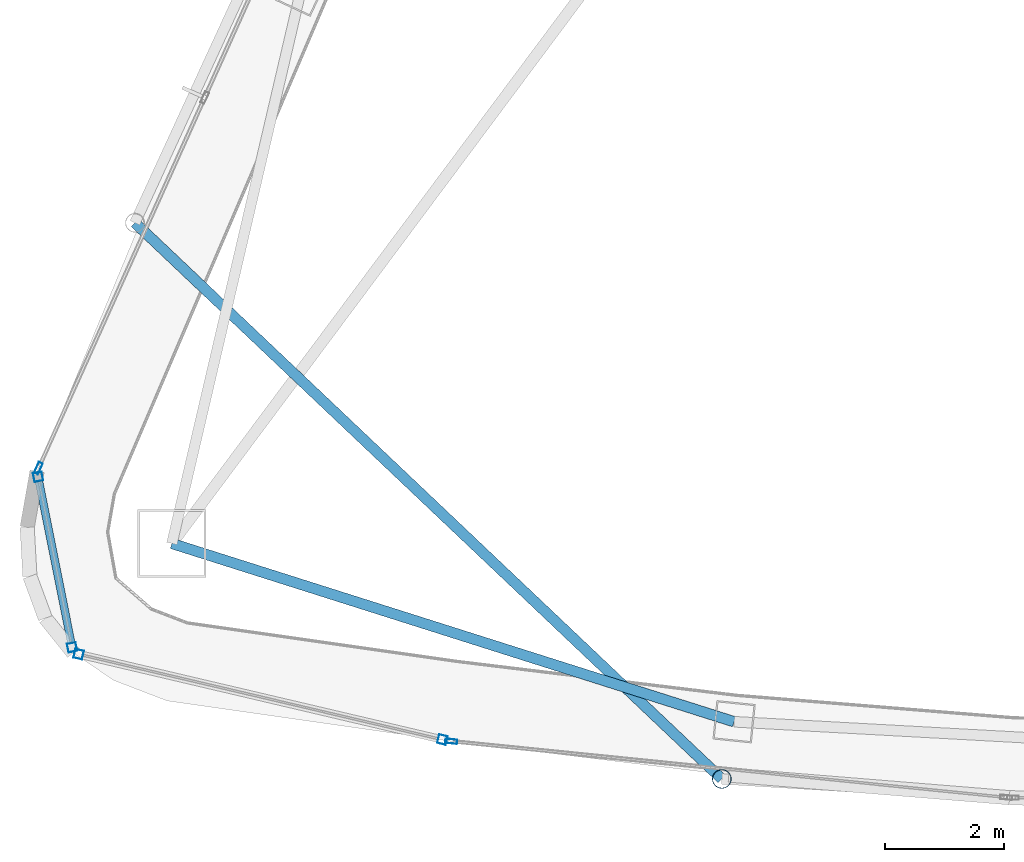
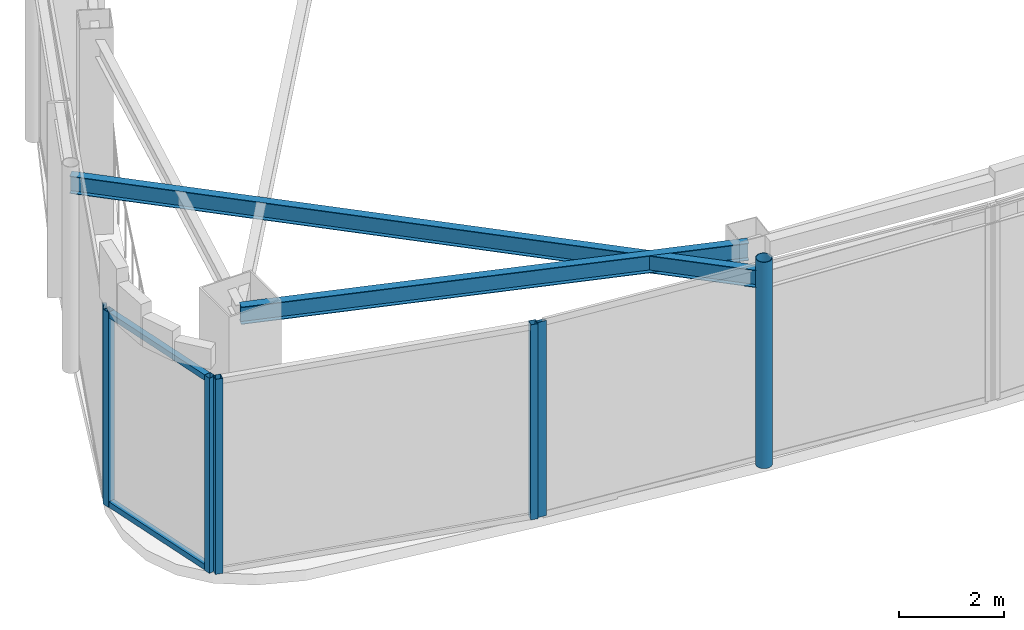
# One storey, part 2 of 18: 9 members, 2 beams, 4 elements without a shape of their own.
"""IFC4 building model written with IfcOpenShell, lengths in metres."""

import ifcopenshell
import ifcopenshell.guid

model = None  # the IFC model being written
_history = None  # IfcOwnerHistory: only IFC2X3 demands one
_inside = {}  # id of a spatial element -> (the spatial element, [elements in it])
_under = {}  # id of a project, library or spatial element -> (it, [spatial elements below it])
_declared = {}  # id of a project -> (the project, [libraries it declares])
_typed = {}  # id of a type object -> (the type object, [elements of that type])
_made_of = {}  # id of a material, layer set ... -> (it, [elements and type objects made of it])


def new_model(schema):
    """Start an empty IFC model of exactly this schema.

    Asked for "IFC4X3", IfcOpenShell would pick the latest addendum, in which some entities
    have other attributes; the version numbers below select the first issue.
    IFC2X3 requires an IfcOwnerHistory on every rooted entity: one is made here for all.
    """
    global model, _history
    if schema == "IFC4X3":
        model = ifcopenshell.file(schema_version=(4, 3, 0, 0))
    else:
        model = ifcopenshell.file(schema=schema)
    _inside.clear()
    _under.clear()
    _declared.clear()
    _typed.clear()
    _made_of.clear()
    _history = None
    if model.schema == "IFC2X3":
        org = make("IfcOrganization", Name="unknown")
        user = make(
            "IfcPersonAndOrganization",
            ThePerson=make("IfcPerson", FamilyName="unknown"),
            TheOrganization=org,
        )
        app = make(
            "IfcApplication",
            ApplicationDeveloper=org,
            Version="unknown",
            ApplicationFullName="unknown",
            ApplicationIdentifier="unknown",
        )
        _history = make(
            "IfcOwnerHistory",
            OwningUser=user,
            OwningApplication=app,
            ChangeAction="ADDED",
            CreationDate=0,
        )
    return model


def make(cls, **values):
    """One entity of the class cls with the attributes given. An attribute that is None is left unset."""
    return model.create_entity(
        cls, **{name: value for name, value in values.items() if value is not None}
    )


def rooted(cls, **values):
    """An entity with a GlobalId (a new one), such as an element, a storey or a relation."""
    return make(cls, GlobalId=ifcopenshell.guid.new(), OwnerHistory=_history, **values)


def si_unit(unit_type, name, prefix=None):
    """IfcSIUnit, for example si_unit("LENGTHUNIT", "METRE", prefix="MILLI")."""
    return make("IfcSIUnit", UnitType=unit_type, Prefix=prefix, Name=name)


def assignment(units):
    """IfcUnitAssignment: the units of a project."""
    return None if units is None else make("IfcUnitAssignment", Units=units)


def point(xyz):
    """IfcCartesianPoint."""
    return None if xyz is None else make("IfcCartesianPoint", Coordinates=xyz)


def direction(xyz):
    """IfcDirection."""
    return None if xyz is None else make("IfcDirection", DirectionRatios=xyz)


def frame(location, z_axis=None, x_axis=None):
    """IfcAxis2Placement3D, a coordinate frame: its origin and axes. An axis left out is left unset."""
    return make(
        "IfcAxis2Placement3D",
        Location=point(location),
        Axis=direction(z_axis),
        RefDirection=direction(x_axis),
    )


def frame_2d(location, x_axis=None):
    """IfcAxis2Placement2D, a coordinate frame in the plane: its origin and x axis."""
    return make(
        "IfcAxis2Placement2D", Location=point(location), RefDirection=direction(x_axis)
    )


def origin():
    """The frame at (0, 0, 0) with its axes left unset."""
    return frame((0.0, 0.0, 0.0))


def origin_2d():
    """The frame at (0, 0) in the plane with its x axis left unset."""
    return frame_2d((0.0, 0.0))


def place(relative_to, where):
    """IfcLocalPlacement: puts the frame where relative to a parent placement (None: the world)."""
    return make(
        "IfcLocalPlacement", PlacementRelTo=relative_to, RelativePlacement=where
    )


def context(
    kind, dimensions, precision=None, world=None, true_north=None, identifier=None
):
    """IfcGeometricRepresentationContext, for example the 3D "Model" context."""
    return make(
        "IfcGeometricRepresentationContext",
        ContextIdentifier=identifier,
        ContextType=kind,
        CoordinateSpaceDimension=dimensions,
        Precision=precision,
        WorldCoordinateSystem=world,
        TrueNorth=true_north,
    )


def subcontext(parent, identifier, kind, view, scale=None):
    """IfcGeometricRepresentationSubContext, for example "Body" below "Model"."""
    return make(
        "IfcGeometricRepresentationSubContext",
        ContextIdentifier=identifier,
        ContextType=kind,
        ParentContext=parent,
        TargetScale=scale,
        TargetView=view,
    )


def project(units=None, contexts=None):
    """IfcProject with its units and contexts."""
    return rooted(
        "IfcProject",
        Name="project",
        RepresentationContexts=contexts,
        UnitsInContext=assignment(units),
    )


def spatial(cls, under=None, at=None, **own):
    """A site, building, storey or space (cls), placed at a placement, below another one or the project."""
    s = rooted(cls, ObjectPlacement=at, **own)
    if under is not None:
        _under.setdefault(under.id(), (under, []))[1].append(s)
    return s


def profile(cls, at=None, kind="AREA", **sizes):
    """A parametric profile (cls). Its sizes go by their IFC names, for example OverallWidth=200.0."""
    return make(cls, ProfileType=kind, Position=at, **sizes)


def hollow_rectangle(**sizes):
    """IfcRectangleHollowProfileDef."""
    return profile("IfcRectangleHollowProfileDef", **sizes)


def hollow_circle(**sizes):
    """IfcCircleHollowProfileDef."""
    return profile("IfcCircleHollowProfileDef", **sizes)


def i_section(**sizes):
    """IfcIShapeProfileDef."""
    return profile("IfcIShapeProfileDef", **sizes)


def extrude(swept, where, along, depth):
    """IfcExtrudedAreaSolid: the profile swept, set in the frame where, extruded along a direction by depth."""
    return make(
        "IfcExtrudedAreaSolid",
        SweptArea=swept,
        Position=where,
        ExtrudedDirection=direction(along),
        Depth=depth,
    )


def shape(context_of_items, identifier, shape_type, items):
    """IfcShapeRepresentation: the items that make up one representation, for example the "Body"."""
    return make(
        "IfcShapeRepresentation",
        ContextOfItems=context_of_items,
        RepresentationIdentifier=identifier,
        RepresentationType=shape_type,
        Items=items,
    )


def material(Name=None, Category=None):
    """IfcMaterial."""
    return make("IfcMaterial", Name=Name, Category=Category)


def layer(
    of_material, thickness, ventilated=None, Name=None, Category=None, Priority=None
):
    """IfcMaterialLayer: one layer of a wall or slab, of a material (None: an air gap)."""
    return make(
        "IfcMaterialLayer",
        Material=of_material,
        LayerThickness=thickness,
        IsVentilated=ventilated,
        Name=Name,
        Category=Category,
        Priority=Priority,
    )


def layer_set(layers, Name=None):
    """IfcMaterialLayerSet."""
    return make("IfcMaterialLayerSet", MaterialLayers=layers, LayerSetName=Name)


def material_profile(
    of_material, cross_section, Name=None, Category=None, Priority=None
):
    """IfcMaterialProfile: a cross section and its material."""
    return make(
        "IfcMaterialProfile",
        Name=Name,
        Material=of_material,
        Profile=cross_section,
        Priority=Priority,
        Category=Category,
    )


def profile_set(profiles, Name=None, composite=None):
    """IfcMaterialProfileSet."""
    return make(
        "IfcMaterialProfileSet",
        Name=Name,
        MaterialProfiles=profiles,
        CompositeProfile=composite,
    )


def made_of(thing, what):
    """Note that an element or type object is made of a material, layer set ...; save() writes the relation."""
    if what is not None:
        _made_of.setdefault(what.id(), (what, []))[1].append(thing)
    return thing


def type_object(cls, material=None, **own):
    """A type object (cls), such as IfcWallType, which elements share."""
    return made_of(rooted(cls, **own), material)


def element(
    cls,
    number,
    at=None,
    inside=None,
    cuts=None,
    type_object=None,
    material=None,
    context=None,
    identifier="Body",
    shape_type=None,
    held_by="IfcProductDefinitionShape",
    body=None,
    shapes=None,
    **own,
):
    """One element of the class cls, such as IfcWall. Its Tag is "e" and its number.

    at: its placement. inside: the storey or other place that contains it. cuts: it is an
    opening in that element (IfcRelVoidsElement). A single representation is given by context,
    identifier, shape_type and body (its items); several are given by shapes. held_by: the class
    of the entity that holds the representations. save() writes the other relations.
    """
    e = rooted(cls, Tag="e%d" % number, ObjectPlacement=at, **own)
    if body is not None:
        shapes = [shape(context, identifier, shape_type, body)]
    if shapes is not None:
        e.Representation = make(held_by, Representations=shapes)
    if inside is not None:
        _inside.setdefault(inside.id(), (inside, []))[1].append(e)
    if cuts is not None:
        rooted(
            "IfcRelVoidsElement", RelatingBuildingElement=cuts, RelatedOpeningElement=e
        )
    if type_object is not None:
        _typed.setdefault(type_object.id(), (type_object, []))[1].append(e)
    return made_of(e, material)


def aggregate(whole, parts):
    """IfcRelAggregates: a whole, such as a stair, and the parts it consists of."""
    return rooted("IfcRelAggregates", RelatingObject=whole, RelatedObjects=parts)


def save(model, path):
    """Write the relations noted so far, then the file.

    IfcRelAggregates (storeys below a building ...), IfcRelContainedInSpatialStructure (elements
    in a storey), IfcRelDefinesByType, IfcRelAssociatesMaterial and IfcRelDeclares: one each for
    every whole, place, type object, material and project.
    """
    for whole, parts in _under.values():
        aggregate(whole, parts)
    for where, things in _inside.values():
        rooted(
            "IfcRelContainedInSpatialStructure",
            RelatedElements=things,
            RelatingStructure=where,
        )
    for kind, things in _typed.values():
        rooted("IfcRelDefinesByType", RelatedObjects=things, RelatingType=kind)
    for what, things in _made_of.values():
        rooted("IfcRelAssociatesMaterial", RelatedObjects=things, RelatingMaterial=what)
    for by, libraries in _declared.values():
        rooted("IfcRelDeclares", RelatingContext=by, RelatedDefinitions=libraries)
    model.write(path)


model = new_model("IFC4")

# Units and contexts
model_context = context("Model", 3, precision=1e-05, world=origin(), true_north=direction((0.0, 1.0)))
body_context = subcontext(model_context, "Body", "Model", "MODEL_VIEW")
ifc_project = project(units=[si_unit("LENGTHUNIT", "METRE"), si_unit("AREAUNIT", "SQUARE_METRE"), si_unit("VOLUMEUNIT", "CUBIC_METRE"), si_unit("PLANEANGLEUNIT", "RADIAN"), si_unit("MASSUNIT", "GRAM", prefix="KILO")], contexts=[model_context])

# Site, building, storey
site_placement = place(None, origin())
site = spatial("IfcSite", under=ifc_project, at=site_placement, CompositionType="ELEMENT")
building_placement = place(site_placement, origin())
building = spatial("IfcBuilding", under=site, at=building_placement, Name="Orvanel Arch Residences", CompositionType="ELEMENT")
storey_placement = place(building_placement, frame((0.0, 0.0, 310.10009765625)))
storey = spatial("IfcBuildingStorey", under=building, at=storey_placement, Name="L86", CompositionType="ELEMENT", Elevation=310.10009765625)

# Curtain wall, members
ifc_material_1 = material(Name="Bronze-anodised aluminium AA6063-T6", Category="aluminium")
ifc_layer = layer(ifc_material_1, 0.2099609375)
ifc_layer_set = layer_set([ifc_layer], Name="Bronze-anodised aluminium AA6063-T6")
curtain_wall_type = type_object("IfcCurtainWallType", Name="CW7-TOP-SYS", PredefinedType="NOTDEFINED", material=ifc_layer_set)
curtain_wall_1_placement = place(storey_placement, origin())
curtain_wall_1 = element("IfcCurtainWall", 1, at=curtain_wall_1_placement, inside=storey, type_object=curtain_wall_type, Name="L86 CW7-TOP-SYS Unitised Curtain Wall", PredefinedType="NOTDEFINED")
ifc_material_profile_1 = material_profile(ifc_material_1, hollow_rectangle(XDim=0.14990234375, YDim=0.14990234375, WallThickness=0.0048828125, at=origin_2d()), Name="ALU150x150x5")
ifc_profile_set_1 = profile_set([ifc_material_profile_1], Name="Bronze-anodised aluminium AA6063-T6")
member_type_1 = type_object("IfcMemberType", Name="MUL-150x150", PredefinedType="MULLION", material=ifc_profile_set_1)
member_1_placement = place(storey_placement, frame((11.95068359375, 11.471435546875, 0.0), z_axis=(0.0, 0.0, 1.0), x_axis=(0.980680696495, 0.195615366274, 0.0)))
member_1 = element("IfcMember", 2, at=member_1_placement, type_object=member_type_1, Name="CW-S7 mullion 1", PredefinedType="MULLION", context=body_context, shape_type="SweptSolid", body=[
    extrude(hollow_rectangle(XDim=0.14990234375, YDim=0.14990234375, WallThickness=0.0048828125, at=origin_2d()), origin(), (0.0, 0.0, 1.0), 4.539794921875),
])
member_2_placement = place(storey_placement, frame((12.522216796875, 8.60546875, 0.0), z_axis=(0.0, 0.0, 1.0), x_axis=(0.980680696495, 0.195615366274, 0.0)))
member_2 = element("IfcMember", 3, at=member_2_placement, type_object=member_type_1, Name="CW-S7 mullion 2", PredefinedType="MULLION", context=body_context, shape_type="SweptSolid", body=[
    extrude(hollow_rectangle(XDim=0.14990234375, YDim=0.14990234375, WallThickness=0.0048828125, at=origin_2d()), origin(), (0.0, 0.0, 1.0), 4.539794921875),
])

curtain_wall_2_placement = place(storey_placement, origin())
curtain_wall_2 = element("IfcCurtainWall", 4, at=curtain_wall_2_placement, inside=storey, type_object=curtain_wall_type, Name="L86 CW7-TOP-SYS Unitised Curtain Wall", PredefinedType="NOTDEFINED")
member_3_placement = place(storey_placement, frame((12.633056640625, 8.48974609375, 0.0), z_axis=(0.0, 0.0, 1.0), x_axis=(0.22864052585, 0.973510919271, 0.0)))
member_3 = element("IfcMember", 5, at=member_3_placement, type_object=member_type_1, Name="CW-S7 mullion 1", PredefinedType="MULLION", context=body_context, shape_type="SweptSolid", body=[
    extrude(hollow_rectangle(XDim=0.14990234375, YDim=0.14990234375, WallThickness=0.0048828125, at=origin_2d()), origin(), (0.0, 0.0, 1.0), 4.539794921875),
])
member_4_placement = place(storey_placement, frame((18.74609375, 7.05419921875, 0.0), z_axis=(0.0, 0.0, 1.0), x_axis=(0.22864052585, 0.973510919271, 0.0)))
member_4 = element("IfcMember", 6, at=member_4_placement, type_object=member_type_1, Name="CW-S7 mullion 2", PredefinedType="MULLION", context=body_context, shape_type="SweptSolid", body=[
    extrude(hollow_rectangle(XDim=0.14990234375, YDim=0.14990234375, WallThickness=0.0048828125, at=origin_2d()), origin(), (0.0, 0.0, 1.0), 4.539794921875),
])
aggregate(curtain_wall_2, [member_3, member_4])

# Curtain wall, member
curtain_wall_3_placement = place(storey_placement, origin())
curtain_wall_3 = element("IfcCurtainWall", 7, at=curtain_wall_3_placement, inside=storey, type_object=curtain_wall_type, Name="L86 CW7-TOP-SYS Unitised Curtain Wall", PredefinedType="NOTDEFINED")
ifc_material_profile_2 = material_profile(ifc_material_1, hollow_rectangle(XDim=0.074951171875, YDim=0.199951171875, WallThickness=0.0048828125, at=origin_2d()), Name="ALU200x75x5")
ifc_profile_set_2 = profile_set([ifc_material_profile_2], Name="Bronze-anodised aluminium AA6063-T6")
member_type_2 = type_object("IfcMemberType", Name="MUL-200x75", PredefinedType="MULLION", material=ifc_profile_set_2)
member_5_placement = place(storey_placement, frame((11.955322265625, 11.6171875, 0.0), z_axis=(0.0, 0.0, 1.0), x_axis=(0.912376147447, -0.40935286193, 0.0)))
member_5 = element("IfcMember", 8, at=member_5_placement, type_object=member_type_2, Name="CW-S7 mullion 3", PredefinedType="MULLION", context=body_context, shape_type="SweptSolid", body=[
    extrude(hollow_rectangle(XDim=0.074951171875, YDim=0.199951171875, WallThickness=0.0048828125, at=origin_2d()), origin(), (0.0, 0.0, 1.0), 4.539794921875),
])
aggregate(curtain_wall_3, [member_5])

curtain_wall_4_placement = place(storey_placement, origin())
curtain_wall_4 = element("IfcCurtainWall", 9, at=curtain_wall_4_placement, inside=storey, type_object=curtain_wall_type, Name="L86 CW7-TOP-SYS Unitised Curtain Wall", PredefinedType="NOTDEFINED")
member_6_placement = place(storey_placement, frame((18.895263671875, 7.026123046875, 0.0), z_axis=(0.0, 0.0, 1.0), x_axis=(0.10054103466, 0.994932912487, 0.0)))
member_6 = element("IfcMember", 10, at=member_6_placement, type_object=member_type_2, Name="CW-S7 mullion 1", PredefinedType="MULLION", context=body_context, shape_type="SweptSolid", body=[
    extrude(hollow_rectangle(XDim=0.074951171875, YDim=0.199951171875, WallThickness=0.0048828125, at=origin_2d()), origin(), (0.0, 0.0, 1.0), 4.539794921875),
])
aggregate(curtain_wall_4, [member_6])

# Beams
ifc_material_2 = material(Name="Structural steel AS/NZS 3679.1 Grade 300 (300 MPa)", Category="steel")
ifc_material_profile_3 = material_profile(ifc_material_2, i_section(OverallWidth=0.177978515625, OverallDepth=0.406005859375, WebThickness=0.0078125, FlangeThickness=0.0126953125, at=origin_2d()), Name="410UB59.7")
ifc_profile_set_3 = profile_set([ifc_material_profile_3], Name="Structural steel AS/NZS 3679.1 Grade 300 (300 MPa)")
beam_type_1 = type_object("IfcBeamType", Name="OB-410UB", PredefinedType="SPANDREL", material=ifc_profile_set_3)
beam_1_placement = place(storey_placement, frame((14.198974609375, 10.35107421875, 4.3369140625), z_axis=(0.953237386592, -0.302222574941, 0.0), x_axis=(0.302222574941, 0.953237386592, 0.0)))
element("IfcBeam", 11, at=beam_1_placement, inside=storey, type_object=beam_type_1, Name="L86 Perimeter Spandrel Beam 02", PredefinedType="SPANDREL", context=body_context, shape_type="SweptSolid", body=[
    extrude(i_section(OverallWidth=0.177978515625, OverallDepth=0.406005859375, WebThickness=0.0078125, FlangeThickness=0.0126953125, at=origin_2d()), origin(), (0.0, 0.0, 1.0), 9.91357421875),
])
ifc_material_profile_4 = material_profile(ifc_material_2, i_section(OverallWidth=0.177978515625, OverallDepth=0.406005859375, WebThickness=0.0078125, FlangeThickness=0.0126953125, at=origin_2d()), Name="410UB59.7")
ifc_profile_set_4 = profile_set([ifc_material_profile_4], Name="Structural steel AS/NZS 3679.1 Grade 300 (300 MPa)")
beam_type_2 = type_object("IfcBeamType", Name="OB-410UB-EXT", PredefinedType="SPANDREL", material=ifc_profile_set_4)
beam_2_placement = place(storey_placement, frame((13.577880859375, 15.740966796875, 4.3369140625), z_axis=(0.72587667187, -0.687824873958, 0.0), x_axis=(0.687824873958, 0.72587667187, 0.0)))
element("IfcBeam", 12, at=beam_2_placement, inside=storey, type_object=beam_type_2, Name="L86 Outer Perimeter Floor Ring Beam 04", PredefinedType="SPANDREL", context=body_context, shape_type="SweptSolid", body=[
    extrude(i_section(OverallWidth=0.177978515625, OverallDepth=0.406005859375, WebThickness=0.0078125, FlangeThickness=0.0126953125, at=origin_2d()), origin(), (0.0, 0.0, 1.0), 13.589111328125),
])

# Member
ifc_material_3 = material(Name="Structural steel AS/NZS 1163 C350L0 (Grade 350)", Category="steel")
ifc_material_profile_5 = material_profile(ifc_material_3, hollow_circle(Radius=0.162109375, WallThickness=0.0126953125, at=origin_2d()), Name="CHS324x12.7")
ifc_profile_set_5 = profile_set([ifc_material_profile_5], Name="Structural steel AS/NZS 1163 C350L0 (Grade 350)")
member_type_3 = type_object("IfcMemberType", Name="ST-324CHS-EXT", PredefinedType="STRUT", material=ifc_profile_set_5)
member_7_placement = place(storey_placement, frame((23.44189453125, 6.39404296875, 0.0), z_axis=(0.0, 0.0, 1.0), x_axis=(1.0, 0.0, 0.0)))
element("IfcMember", 13, at=member_7_placement, inside=storey, type_object=member_type_3, Name="L86 Outer Perimeter Frame Post 05", PredefinedType="STRUT", context=body_context, shape_type="SweptSolid", body=[
    extrude(hollow_circle(Radius=0.162109375, WallThickness=0.0126953125, at=origin_2d()), origin(), (0.0, 0.0, 1.0), 4.7998046875),
])

ifc_material_profile_6 = material_profile(ifc_material_1, hollow_rectangle(XDim=0.1298828125, YDim=0.1298828125, WallThickness=0.00439453125, at=origin_2d()), Name="ALU130x130x4.5")
ifc_profile_set_6 = profile_set([ifc_material_profile_6], Name="Bronze-anodised aluminium AA6063-T6")
member_type_4 = type_object("IfcMemberType", Name="TRN-130x130", PredefinedType="USERDEFINED", material=ifc_profile_set_6)
member_8_placement = place(storey_placement, frame((11.96533203125, 11.39794921875, 0.06494140625), z_axis=(0.195591107521, -0.980685535051, 0.0), x_axis=(0.980685535051, 0.195591107521, 0.0)))
member_8 = element("IfcMember", 14, at=member_8_placement, type_object=member_type_4, Name="CW-S7 transom 1.1", ObjectType="TRANSOM", PredefinedType="USERDEFINED", context=body_context, shape_type="SweptSolid", body=[
    extrude(hollow_rectangle(XDim=0.1298828125, YDim=0.1298828125, WallThickness=0.00439453125, at=origin_2d()), origin(), (0.0, 0.0, 1.0), 2.772216796875),
])

member_9_placement = place(storey_placement, frame((11.96533203125, 11.39794921875, 4.474853515625), z_axis=(0.195591107521, -0.980685535051, 0.0), x_axis=(0.980685535051, 0.195591107521, 0.0)))
member_9 = element("IfcMember", 15, at=member_9_placement, type_object=member_type_4, Name="CW-S7 transom 1.2", ObjectType="TRANSOM", PredefinedType="USERDEFINED", context=body_context, shape_type="SweptSolid", body=[
    extrude(hollow_rectangle(XDim=0.1298828125, YDim=0.1298828125, WallThickness=0.00439453125, at=origin_2d()), origin(), (0.0, 0.0, 1.0), 2.772216796875),
])

aggregate(curtain_wall_1, [member_1, member_2, member_8, member_9])

save(model, "model.ifc")
